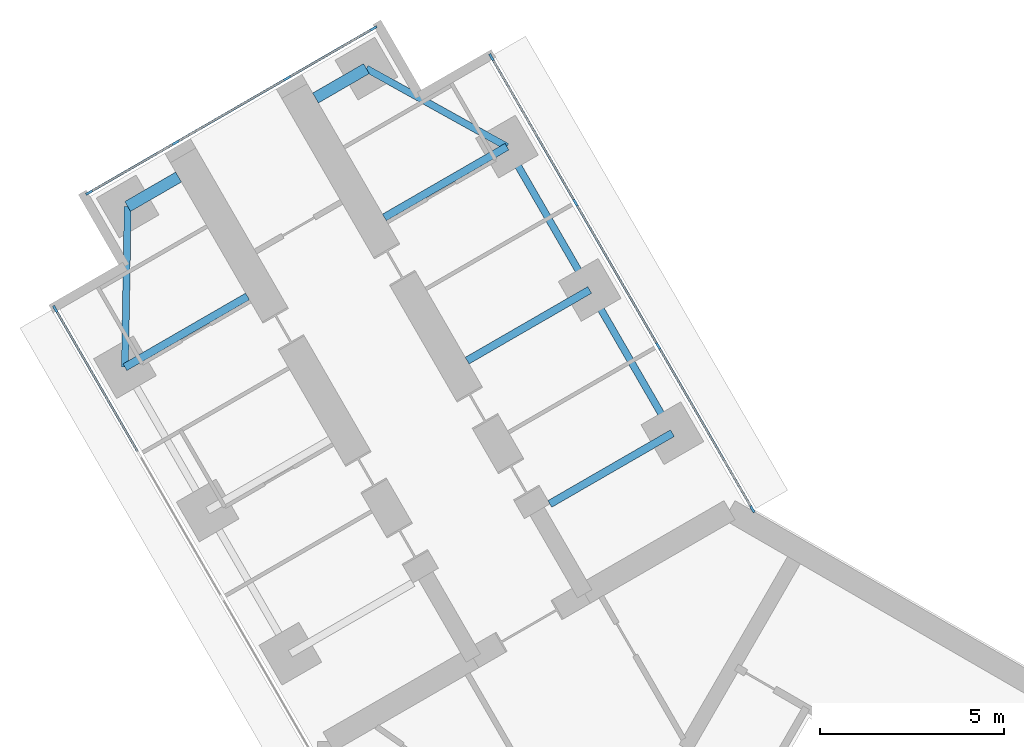
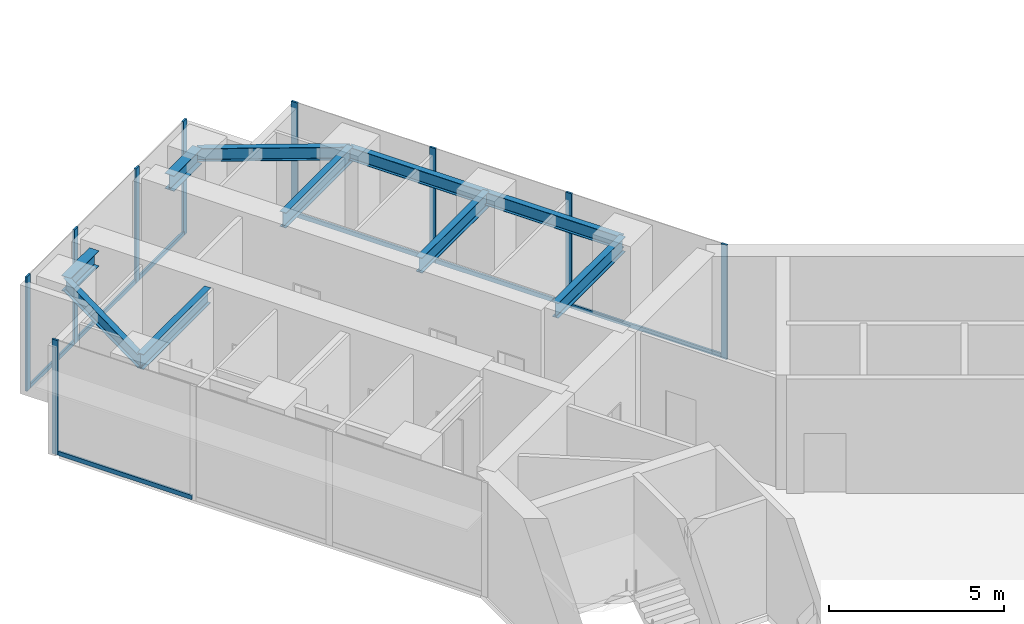
# One storey, part 6 of 23: 16 members, 10 beams, 3 elements without a shape of their own.
"""IFC4 building model written with IfcOpenShell, lengths in metres."""

from ifc_helpers import new_model, si_unit, direction, frame, origin, origin_2d, place, context, subcontext, project, spatial, rectangle, i_section, extrude, material, material_profile, profile_set, type_object, element, aggregate, save


model = new_model("IFC4")

# Units and contexts
model_context = context("Model", 3, precision=1e-05, world=origin(), true_north=direction((0.0, 1.0)))
body_context = subcontext(model_context, "Body", "Model", "MODEL_VIEW")
ifc_project = project(units=[si_unit("LENGTHUNIT", "METRE"), si_unit("AREAUNIT", "SQUARE_METRE"), si_unit("VOLUMEUNIT", "CUBIC_METRE"), si_unit("PLANEANGLEUNIT", "RADIAN"), si_unit("MASSUNIT", "GRAM", prefix="KILO")], contexts=[model_context])

# Site, building, storey
site_placement = place(None, origin())
site = spatial("IfcSite", under=ifc_project, at=site_placement, CompositionType="ELEMENT")
building_placement = place(site_placement, origin())
building = spatial("IfcBuilding", under=site, at=building_placement, Name="Upepo Twin Towers", CompositionType="ELEMENT")
storey_placement = place(building_placement, frame((0.0, 0.0, 157.5)))
storey = spatial("IfcBuildingStorey", under=building, at=storey_placement, Name="L38", CompositionType="ELEMENT", Elevation=157.5)

# Beams
ifc_material_1 = material(Name="Steel S355", Category="steel")
ifc_material_profile_1 = material_profile(ifc_material_1, i_section(OverallWidth=0.1904296875, OverallDepth=0.45703125, WebThickness=0.009033203125, FlangeThickness=0.014404296875, FilletRadius=0.01025390625, at=origin_2d()), Name="UB 457x191x74")
ifc_profile_set_1 = profile_set([ifc_material_profile_1], Name="Steel S355")
beam_type_1 = type_object("IfcBeamType", Name="Beam UB 457x191x74", PredefinedType="BEAM", material=ifc_profile_set_1)
beam_1_placement = place(storey_placement, frame((-16.446044921875, 16.485595703125, 3.571533203125), z_axis=(0.016803880528, 0.999858804832, 0.0), x_axis=(-0.999858804832, 0.016803880528, 0.0)))
element("IfcBeam", 1, at=beam_1_placement, inside=storey, type_object=beam_type_1, Name="T1 nose edge beam BL", PredefinedType="BEAM", context=body_context, shape_type="SweptSolid", body=[
    extrude(i_section(OverallWidth=0.1904296875, OverallDepth=0.45703125, WebThickness=0.009033203125, FlangeThickness=0.014404296875, FilletRadius=0.01025390625, at=origin_2d()), origin(), (0.0, 0.0, 1.0), 4.373291015625),
])
beam_2_placement = place(storey_placement, frame((-1.553955078125, 14.69140625, 3.571533203125), z_axis=(-0.500013631625, 0.866017533419, 0.0), x_axis=(-0.866017533419, -0.500013631625, 0.0)))
element("IfcBeam", 2, at=beam_2_placement, inside=storey, type_object=beam_type_1, Name="T1 edge beam BR 13.5-18.0", PredefinedType="BEAM", context=body_context, shape_type="SweptSolid", body=[
    extrude(i_section(OverallWidth=0.1904296875, OverallDepth=0.45703125, WebThickness=0.009033203125, FlangeThickness=0.014404296875, FilletRadius=0.01025390625, at=origin_2d()), origin(), (0.0, 0.0, 1.0), 4.499755859375),
])
beam_3_placement = place(storey_placement, frame((-3.803955078125, 18.58837890625, 3.571533203125), z_axis=(-0.499990139034, 0.866031096941, 0.0), x_axis=(-0.866031096941, -0.499990139034, 0.0)))
element("IfcBeam", 3, at=beam_3_placement, inside=storey, type_object=beam_type_1, Name="T1 edge beam BR 18.0-22.5", PredefinedType="BEAM", context=body_context, shape_type="SweptSolid", body=[
    extrude(i_section(OverallWidth=0.1904296875, OverallDepth=0.45703125, WebThickness=0.009033203125, FlangeThickness=0.014404296875, FilletRadius=0.01025390625, at=origin_2d()), origin(), (0.0, 0.0, 1.0), 4.5),
])
beam_4_placement = place(storey_placement, frame((-6.053955078125, 22.485595703125, 3.571533203125), z_axis=(-0.874312600038, 0.485363242752, 0.0), x_axis=(-0.485363242752, -0.874312600038, 0.0)))
element("IfcBeam", 4, at=beam_4_placement, inside=storey, type_object=beam_type_1, Name="T1 nose edge beam BR", PredefinedType="BEAM", context=body_context, shape_type="SweptSolid", body=[
    extrude(i_section(OverallWidth=0.1904296875, OverallDepth=0.45703125, WebThickness=0.009033203125, FlangeThickness=0.014404296875, FilletRadius=0.01025390625, at=origin_2d()), origin(), (0.0, 0.0, 1.0), 4.373046875),
])
ifc_material_2 = material(Name="Steel S355", Category="steel")
ifc_material_profile_2 = material_profile(ifc_material_2, i_section(OverallWidth=0.209228515625, OverallDepth=0.533203125, WebThickness=0.010009765625, FlangeThickness=0.015625, FilletRadius=0.0126953125, at=origin_2d()), Name="UB 533x210x92")
ifc_profile_set_2 = profile_set([ifc_material_profile_2], Name="Steel S355")
beam_type_2 = type_object("IfcBeamType", Name="Beam UB 533x210x92", PredefinedType="BEAM", material=ifc_profile_set_2)
for number, where, z_axis, x_axis, name in (
    (5, (-16.446044921875, 16.485595703125, 3.533447265625), (0.866006051527, 0.500033517596, 0.0), (-0.500033517596, 0.866006051527, 0.0), "T1 girder BL at 22.5"),
    (6, (-1.553955078125, 14.69140625, 3.533447265625), (-0.866006051527, -0.500033517596, 0.0), (0.500033517596, -0.866006051527, 0.0), "T1 girder BR at 13.5"),
):
    element("IfcBeam", number, at=place(storey_placement, frame(where, z_axis=z_axis, x_axis=x_axis)), inside=storey, type_object=beam_type_2, Name=name, PredefinedType="BEAM", context=body_context, shape_type="SweptSolid", body=[
        extrude(i_section(OverallWidth=0.209228515625, OverallDepth=0.533203125, WebThickness=0.010009765625, FlangeThickness=0.015625, FilletRadius=0.0126953125, at=origin_2d()), origin(), (0.0, 0.0, 1.0), 3.849853515625),
    ])
beam_5_placement = place(storey_placement, frame((-3.803955078125, 18.58837890625, 3.533447265625), z_axis=(-0.866033512162, -0.499985955615, 0.0), x_axis=(0.499985955615, -0.866033512162, 0.0)))
element("IfcBeam", 7, at=beam_5_placement, inside=storey, type_object=beam_type_2, Name="T1 girder BR at 18.0", PredefinedType="BEAM", context=body_context, shape_type="SweptSolid", body=[
    extrude(i_section(OverallWidth=0.209228515625, OverallDepth=0.533203125, WebThickness=0.010009765625, FlangeThickness=0.015625, FilletRadius=0.0126953125, at=origin_2d()), origin(), (0.0, 0.0, 1.0), 3.849609375),
])
beam_6_placement = place(storey_placement, frame((-6.053955078125, 22.485595703125, 3.533447265625), z_axis=(-0.866006051527, -0.500033517596, 0.0), x_axis=(0.500033517596, -0.866006051527, 0.0)))
element("IfcBeam", 8, at=beam_6_placement, inside=storey, type_object=beam_type_2, Name="T1 girder BR at 22.5", PredefinedType="BEAM", context=body_context, shape_type="SweptSolid", body=[
    extrude(i_section(OverallWidth=0.209228515625, OverallDepth=0.533203125, WebThickness=0.010009765625, FlangeThickness=0.015625, FilletRadius=0.0126953125, at=origin_2d()), origin(), (0.0, 0.0, 1.0), 3.849853515625),
])
ifc_material_3 = material(Name="Steel S355", Category="steel")
ifc_material_profile_3 = material_profile(ifc_material_3, i_section(OverallWidth=0.31201171875, OverallDepth=0.54345703125, WebThickness=0.0126953125, FlangeThickness=0.020263671875, FilletRadius=0.0126953125, at=origin_2d()), Name="UB 533x312x150")
ifc_profile_set_3 = profile_set([ifc_material_profile_3], Name="Steel S355")
beam_type_3 = type_object("IfcBeamType", Name="Beam UB 533x312x150", PredefinedType="BEAM", material=ifc_profile_set_3)
for number, where, z_axis, x_axis, name in (
    (9, (-16.37255859375, 20.858154296875, 3.5283203125), (0.865989903783, 0.500061482766, 0.0), (-0.500061482766, 0.865989903783, 0.0), "T1 nose beam BL"),
    (10, (-9.87744140625, 24.608154296875, 3.5283203125), (-0.865989903783, -0.500061482766, 0.0), (0.500061482766, -0.865989903783, 0.0), "T1 nose beam BR"),
):
    element("IfcBeam", number, at=place(storey_placement, frame(where, z_axis=z_axis, x_axis=x_axis)), inside=storey, type_object=beam_type_3, Name=name, PredefinedType="BEAM", context=body_context, shape_type="SweptSolid", body=[
        extrude(i_section(OverallWidth=0.31201171875, OverallDepth=0.54345703125, WebThickness=0.0126953125, FlangeThickness=0.020263671875, FilletRadius=0.0126953125, at=origin_2d()), origin(), (0.0, 0.0, 1.0), 1.599853515625),
    ])

# Curtain wall, member
ifc_material_4 = material(Name="Aluminium and fritted glass", Category="aluminium")
curtain_wall_type = type_object("IfcCurtainWallType", Name="Tower curtain wall TW2, fritted glass", PredefinedType="NOTDEFINED", material=ifc_material_4)
curtain_wall_1_placement = place(storey_placement, origin())
curtain_wall_1 = element("IfcCurtainWall", 11, at=curtain_wall_1_placement, inside=storey, type_object=curtain_wall_type, Name="T1 L38 wing B flank L curtain wall", PredefinedType="NOTDEFINED")
ifc_material_5 = material(Name="Aluminium mullion", Category="aluminium")
ifc_material_profile_4 = material_profile(ifc_material_5, rectangle(XDim=0.06494140625, YDim=0.199951171875, at=origin_2d()), Name="MULLION 65x200")
ifc_profile_set_4 = profile_set([ifc_material_profile_4], Name="Aluminium mullion")
member_type_1 = type_object("IfcMemberType", Name="Mullion 65x200 TW2", PredefinedType="MULLION", material=ifc_profile_set_4)
member_1_placement = place(storey_placement, frame((-18.341064453125, 18.067626953125, 0.0), z_axis=(0.0, 0.0, 1.0), x_axis=(-0.866025397833, -0.500000010308, 0.0)))
member_1 = element("IfcMember", 12, at=member_1_placement, type_object=member_type_1, Name="T1 L38 wing B flank L curtain wall mullion 4", PredefinedType="MULLION", context=body_context, shape_type="SweptSolid", body=[
    extrude(rectangle(XDim=0.06494140625, YDim=0.199951171875, at=origin_2d()), origin(), (0.0, 0.0, 1.0), 4.0),
])

# Curtain wall, members
curtain_wall_2_placement = place(storey_placement, origin())
curtain_wall_2 = element("IfcCurtainWall", 13, at=curtain_wall_2_placement, inside=storey, type_object=curtain_wall_type, Name="T1 L38 wing B flank R curtain wall", PredefinedType="NOTDEFINED")
member_2_placement = place(storey_placement, frame((-6.4765625, 24.91748046875, 0.0), z_axis=(0.0, 0.0, 1.0), x_axis=(0.866025397833, 0.500000010308, 0.0)))
member_2 = element("IfcMember", 14, at=member_2_placement, type_object=member_type_1, Name="T1 L38 wing B flank R curtain wall mullion 1", PredefinedType="MULLION", context=body_context, shape_type="SweptSolid", body=[
    extrude(rectangle(XDim=0.06494140625, YDim=0.199951171875, at=origin_2d()), origin(), (0.0, 0.0, 1.0), 4.0),
])
member_3_placement = place(storey_placement, frame((-4.192626953125, 20.9619140625, 0.0), z_axis=(0.0, 0.0, 1.0), x_axis=(0.866025397833, 0.500000010308, 0.0)))
member_3 = element("IfcMember", 15, at=member_3_placement, type_object=member_type_1, Name="T1 L38 wing B flank R curtain wall mullion 2", PredefinedType="MULLION", context=body_context, shape_type="SweptSolid", body=[
    extrude(rectangle(XDim=0.06494140625, YDim=0.199951171875, at=origin_2d()), origin(), (0.0, 0.0, 1.0), 4.0),
])
member_4_placement = place(storey_placement, frame((-1.942626953125, 17.06494140625, 0.0), z_axis=(0.0, 0.0, 1.0), x_axis=(0.866025397833, 0.500000010308, 0.0)))
member_4 = element("IfcMember", 16, at=member_4_placement, type_object=member_type_1, Name="T1 L38 wing B flank R curtain wall mullion 3", PredefinedType="MULLION", context=body_context, shape_type="SweptSolid", body=[
    extrude(rectangle(XDim=0.06494140625, YDim=0.199951171875, at=origin_2d()), origin(), (0.0, 0.0, 1.0), 4.0),
])
member_5_placement = place(storey_placement, frame((0.62255859375, 12.621826171875, 0.0), z_axis=(0.0, 0.0, 1.0), x_axis=(0.866025397833, 0.500000010308, 0.0)))
member_5 = element("IfcMember", 17, at=member_5_placement, type_object=member_type_1, Name="T1 L38 wing B flank R curtain wall mullion 4", PredefinedType="MULLION", context=body_context, shape_type="SweptSolid", body=[
    extrude(rectangle(XDim=0.06494140625, YDim=0.199951171875, at=origin_2d()), origin(), (0.0, 0.0, 1.0), 4.0),
])

curtain_wall_3_placement = place(storey_placement, origin())
curtain_wall_3 = element("IfcCurtainWall", 18, at=curtain_wall_3_placement, inside=storey, type_object=curtain_wall_type, Name="T1 L38 wing B nose curtain wall", PredefinedType="NOTDEFINED")
member_6_placement = place(storey_placement, frame((-9.68115234375, 25.703125, 0.0), z_axis=(0.0, 0.0, 1.0), x_axis=(0.500000030502, -0.866025386174, 0.0)))
member_6 = element("IfcMember", 19, at=member_6_placement, type_object=member_type_1, Name="T1 L38 wing B nose curtain wall mullion 1", PredefinedType="MULLION", context=body_context, shape_type="SweptSolid", body=[
    extrude(rectangle(XDim=0.06494140625, YDim=0.199951171875, at=origin_2d()), origin(), (0.0, 0.0, 1.0), 4.0),
])
member_7_placement = place(storey_placement, frame((-12.034423828125, 24.34423828125, 0.0), z_axis=(0.0, 0.0, 1.0), x_axis=(0.500000030502, -0.866025386174, 0.0)))
member_7 = element("IfcMember", 20, at=member_7_placement, type_object=member_type_1, Name="T1 L38 wing B nose curtain wall mullion 2", PredefinedType="MULLION", context=body_context, shape_type="SweptSolid", body=[
    extrude(rectangle(XDim=0.06494140625, YDim=0.199951171875, at=origin_2d()), origin(), (0.0, 0.0, 1.0), 4.0),
])
member_8_placement = place(storey_placement, frame((-15.0654296875, 22.59423828125, 0.0), z_axis=(0.0, 0.0, 1.0), x_axis=(0.500000030502, -0.866025386174, 0.0)))
member_8 = element("IfcMember", 21, at=member_8_placement, type_object=member_type_1, Name="T1 L38 wing B nose curtain wall mullion 3", PredefinedType="MULLION", context=body_context, shape_type="SweptSolid", body=[
    extrude(rectangle(XDim=0.06494140625, YDim=0.199951171875, at=origin_2d()), origin(), (0.0, 0.0, 1.0), 4.0),
])
member_9_placement = place(storey_placement, frame((-17.4189453125, 21.235595703125, 0.0), z_axis=(0.0, 0.0, 1.0), x_axis=(0.500000030502, -0.866025386174, 0.0)))
member_9 = element("IfcMember", 22, at=member_9_placement, type_object=member_type_1, Name="T1 L38 wing B nose curtain wall mullion 4", PredefinedType="MULLION", context=body_context, shape_type="SweptSolid", body=[
    extrude(rectangle(XDim=0.06494140625, YDim=0.199951171875, at=origin_2d()), origin(), (0.0, 0.0, 1.0), 4.0),
])

# Member
ifc_material_6 = material(Name="Aluminium transom", Category="aluminium")
ifc_material_profile_5 = material_profile(ifc_material_6, rectangle(XDim=0.06494140625, YDim=0.14990234375, at=origin_2d()), Name="TRANSOM 65x150")
ifc_profile_set_5 = profile_set([ifc_material_profile_5], Name="Aluminium transom")
member_type_2 = type_object("IfcMemberType", Name="Transom 65x150 TW2", PredefinedType="USERDEFINED", material=ifc_profile_set_5)
member_10_placement = place(storey_placement, frame((-16.073486328125, 14.14013671875, 0.074951171875), z_axis=(-0.499982167615, 0.866035699072, 0.0), x_axis=(-0.866035699072, -0.499982167615, 0.0)))
member_10 = element("IfcMember", 23, at=member_10_placement, type_object=member_type_2, Name="T1 L38 wing B flank L curtain wall transom 3", ObjectType="TRANSOM", PredefinedType="USERDEFINED", context=body_context, shape_type="SweptSolid", body=[
    extrude(rectangle(XDim=0.06494140625, YDim=0.14990234375, at=origin_2d()), origin(), (0.0, 0.0, 1.0), 4.502685546875),
])

aggregate(curtain_wall_1, [member_1, member_10])

member_11_placement = place(storey_placement, frame((-6.460205078125, 24.889404296875, 0.074951171875), z_axis=(0.500005646842, -0.866022143554, 0.0), x_axis=(0.866022143554, 0.500005646842, 0.0)))
member_11 = element("IfcMember", 24, at=member_11_placement, type_object=member_type_2, Name="T1 L38 wing B flank R curtain wall transom 1", ObjectType="TRANSOM", PredefinedType="USERDEFINED", context=body_context, shape_type="SweptSolid", body=[
    extrude(rectangle(XDim=0.06494140625, YDim=0.14990234375, at=origin_2d()), origin(), (0.0, 0.0, 1.0), 4.50244140625),
])

member_12_placement = place(storey_placement, frame((-4.176513671875, 20.933837890625, 0.074951171875), z_axis=(0.500005184116, -0.866022410713, 0.0), x_axis=(0.866022410713, 0.500005184116, 0.0)))
member_12 = element("IfcMember", 25, at=member_12_placement, type_object=member_type_2, Name="T1 L38 wing B flank R curtain wall transom 2", ObjectType="TRANSOM", PredefinedType="USERDEFINED", context=body_context, shape_type="SweptSolid", body=[
    extrude(rectangle(XDim=0.06494140625, YDim=0.14990234375, at=origin_2d()), origin(), (0.0, 0.0, 1.0), 4.43505859375),
])

member_13_placement = place(storey_placement, frame((-1.926513671875, 17.036865234375, 0.074951171875), z_axis=(0.499985288567, -0.866033897268, 0.0), x_axis=(0.866033897268, 0.499985288567, 0.0)))
member_13 = element("IfcMember", 26, at=member_13_placement, type_object=member_type_2, Name="T1 L38 wing B flank R curtain wall transom 3", ObjectType="TRANSOM", PredefinedType="USERDEFINED", context=body_context, shape_type="SweptSolid", body=[
    extrude(rectangle(XDim=0.06494140625, YDim=0.14990234375, at=origin_2d()), origin(), (0.0, 0.0, 1.0), 5.065673828125),
])

aggregate(curtain_wall_2, [member_2, member_3, member_4, member_5, member_11, member_12, member_13])

member_14_placement = place(storey_placement, frame((-9.709228515625, 25.686767578125, 0.074951171875), z_axis=(-0.866036909293, -0.499980071345, 0.0), x_axis=(0.499980071345, -0.866036909293, 0.0)))
member_14 = element("IfcMember", 27, at=member_14_placement, type_object=member_type_2, Name="T1 L38 wing B nose curtain wall transom 1", ObjectType="TRANSOM", PredefinedType="USERDEFINED", context=body_context, shape_type="SweptSolid", body=[
    extrude(rectangle(XDim=0.06494140625, YDim=0.14990234375, at=origin_2d()), origin(), (0.0, 0.0, 1.0), 2.65234375),
])

member_15_placement = place(storey_placement, frame((-12.0625, 24.328125, 0.074951171875), z_axis=(-0.866025804792, -0.499999305434, 0.0), x_axis=(0.499999305434, -0.866025804792, 0.0)))
member_15 = element("IfcMember", 28, at=member_15_placement, type_object=member_type_2, Name="T1 L38 wing B nose curtain wall transom 2", ObjectType="TRANSOM", PredefinedType="USERDEFINED", context=body_context, shape_type="SweptSolid", body=[
    extrude(rectangle(XDim=0.06494140625, YDim=0.14990234375, at=origin_2d()), origin(), (0.0, 0.0, 1.0), 3.43505859375),
])

member_16_placement = place(storey_placement, frame((-15.09375, 22.578125, 0.074951171875), z_axis=(-0.865997053448, -0.500049101008, 0.0), x_axis=(0.500049101008, -0.865997053448, 0.0)))
member_16 = element("IfcMember", 29, at=member_16_placement, type_object=member_type_2, Name="T1 L38 wing B nose curtain wall transom 3", ObjectType="TRANSOM", PredefinedType="USERDEFINED", context=body_context, shape_type="SweptSolid", body=[
    extrude(rectangle(XDim=0.06494140625, YDim=0.14990234375, at=origin_2d()), origin(), (0.0, 0.0, 1.0), 2.652587890625),
])

aggregate(curtain_wall_3, [member_6, member_7, member_8, member_9, member_14, member_15, member_16])

save(model, "model.ifc")
